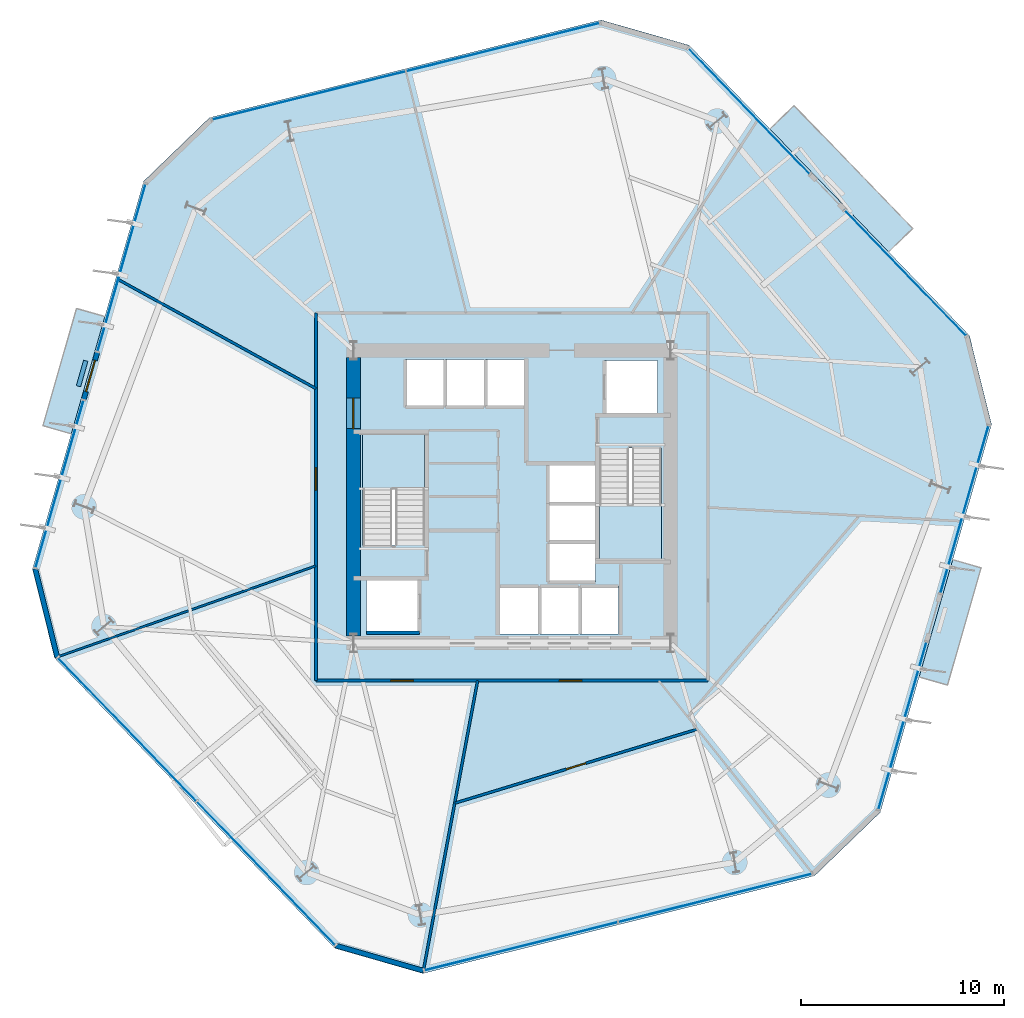
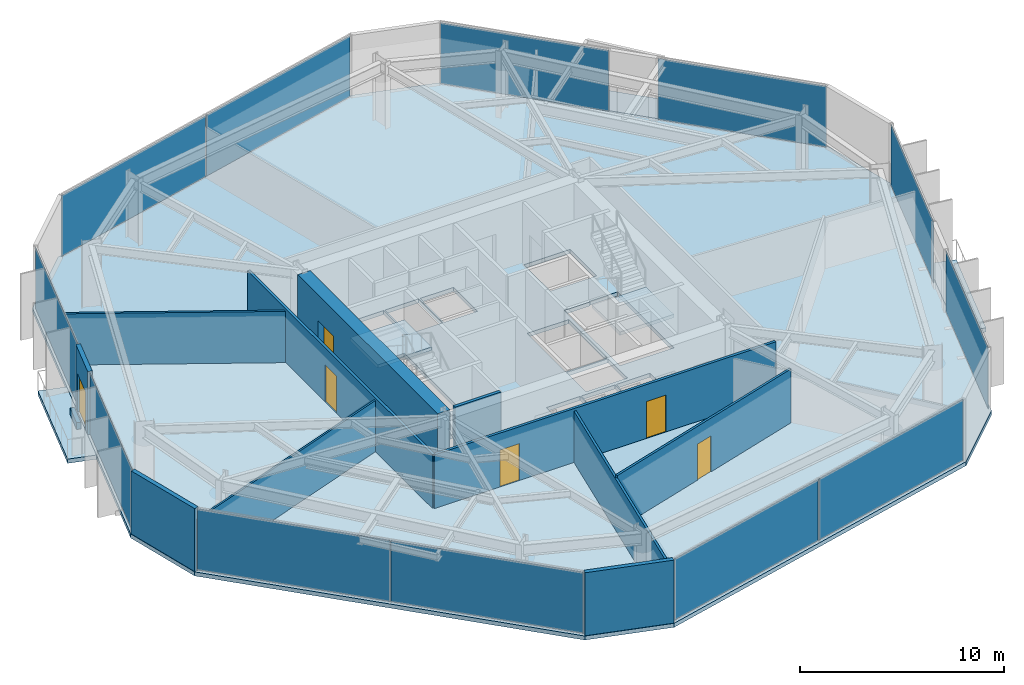
# One storey, part 5 of 10: 12 plates, 12 walls, 6 doors, 6 slabs, 6 openings, 11 elements without a shape of their own.
"""IFC4 building model written with IfcOpenShell, lengths in metres."""

from ifc_helpers import new_model, si_unit, direction, frame, frame_2d, origin, origin_2d, place, context, subcontext, project, spatial, polyline, rectangle, outline, extrude, material, layer, layer_set, type_object, element, fill, aggregate, save


model = new_model("IFC4")

# Units and contexts
model_context = context("Model", 3, precision=1e-05, world=origin(), true_north=direction((0.0, 1.0)))
body_context = subcontext(model_context, "Body", "Model", "MODEL_VIEW")
ifc_project = project(units=[si_unit("LENGTHUNIT", "METRE"), si_unit("AREAUNIT", "SQUARE_METRE"), si_unit("VOLUMEUNIT", "CUBIC_METRE"), si_unit("PLANEANGLEUNIT", "RADIAN"), si_unit("MASSUNIT", "GRAM", prefix="KILO")], contexts=[model_context])

# Site, building, storey
site_placement = place(None, origin())
site = spatial("IfcSite", under=ifc_project, at=site_placement, CompositionType="ELEMENT")
building_placement = place(site_placement, origin())
building = spatial("IfcBuilding", under=site, at=building_placement, Name="Kranzbogen Civic Tower", CompositionType="ELEMENT")
storey_placement = place(building_placement, frame((0.0, 0.0, 76.0)))
storey = spatial("IfcBuildingStorey", under=building, at=storey_placement, Name="L18", CompositionType="ELEMENT", Elevation=76.0)

# Slab
ifc_material_1 = material(Name="Concrete C40/50", Category="concrete")
ifc_layer_1 = layer(ifc_material_1, 0.239990234375, Name="Concrete C40/50")
ifc_layer_set_1 = layer_set([ifc_layer_1], Name="Concrete C40/50")
slab_type_1 = type_object("IfcSlabType", Name="Composite Lower Tower Floor Slab 240 mm", PredefinedType="FLOOR", material=ifc_layer_set_1)
slab_1_placement = place(storey_placement, frame((0.0, 0.0, -0.239990234375)))
element("IfcSlab", 1, at=slab_1_placement, inside=storey, type_object=slab_type_1, Name="L18 tower floor slab", PredefinedType="FLOOR", context=body_context, shape_type="SweptSolid", body=[
    extrude(outline(polyline([(47.508056640625, 32.930908203125), (33.7109375, 47.217041015625), (29.385986328125, 48.4580078125), (10.114990234375, 43.653076171875), (6.8779296875, 40.527099609375), (1.403076171875, 21.43603515625), (2.491943359375, 17.069091796875), (16.2890625, 2.782958984375), (20.614013671875, 1.5419921875), (39.885009765625, 6.346923828125), (43.1220703125, 9.472900390625), (48.596923828125, 28.56396484375), (47.508056640625, 32.930908203125)]), holes=[polyline([(26.300048828125, 20.60009765625), (26.300048828125, 18.25), (24.39990234375, 18.25), (24.39990234375, 20.60009765625), (26.300048828125, 20.60009765625)]), polyline([(28.27490234375, 18.25), (26.375, 18.25), (26.375, 20.60009765625), (28.27490234375, 20.60009765625), (28.27490234375, 18.25)]), polyline([(20.449951171875, 18.300048828125), (17.85009765625, 18.300048828125), (17.85009765625, 20.89990234375), (20.449951171875, 20.89990234375), (20.449951171875, 18.300048828125)]), polyline([(20.699951171875, 22.659912109375), (19.25, 22.659912109375), (19.25, 22.60009765625), (17.64990234375, 22.60009765625), (17.64990234375, 28.10009765625), (20.699951171875, 28.10009765625), (20.699951171875, 22.659912109375)]), polyline([(21.64990234375, 29.39990234375), (19.75, 29.39990234375), (19.75, 31.75), (21.64990234375, 31.75), (21.64990234375, 29.39990234375)]), polyline([(23.625, 29.39990234375), (21.72509765625, 29.39990234375), (21.72509765625, 31.75), (23.625, 31.75), (23.625, 29.39990234375)]), polyline([(25.60009765625, 31.75), (25.60009765625, 29.39990234375), (23.699951171875, 29.39990234375), (23.699951171875, 31.75), (25.60009765625, 31.75)]), polyline([(30.25, 18.25), (28.35009765625, 18.25), (28.35009765625, 20.60009765625), (30.25, 20.60009765625), (30.25, 18.25)]), polyline([(29.10009765625, 20.800048828125), (26.75, 20.800048828125), (26.75, 22.699951171875), (29.10009765625, 22.699951171875), (29.10009765625, 20.800048828125)]), polyline([(26.75, 26.550048828125), (29.10009765625, 26.550048828125), (29.10009765625, 24.675048828125), (29.10009765625, 24.64990234375), (29.10009765625, 22.77490234375), (26.75, 22.77490234375), (26.75, 24.64990234375), (26.75, 24.675048828125), (26.75, 26.550048828125)]), polyline([(30.75, 27.340087890625), (30.75, 27.39990234375), (32.35009765625, 27.39990234375), (32.35009765625, 21.89990234375), (29.300048828125, 21.89990234375), (29.300048828125, 27.340087890625), (30.75, 27.340087890625)]), polyline([(32.14990234375, 29.10009765625), (29.550048828125, 29.10009765625), (29.550048828125, 31.699951171875), (32.14990234375, 31.699951171875), (32.14990234375, 29.10009765625)])]), origin(), (0.0, 0.0, 1.0), 0.239990234375),
])

# Curtain wall, plate
ifc_material_2 = material(Name="Pale Anodised Aluminium", Category="aluminium")
ifc_layer_2 = layer(ifc_material_2, 0.219970703125, Name="Pale Anodised Aluminium")
ifc_layer_set_2 = layer_set([ifc_layer_2], Name="Pale Anodised Aluminium")
curtain_wall_type = type_object("IfcCurtainWallType", Name="Zone 1 Stick Curtain Wall System CW-02", PredefinedType="USERDEFINED", material=ifc_layer_set_2)
curtain_wall_1_placement = place(storey_placement, origin())
curtain_wall_1 = element("IfcCurtainWall", 2, at=curtain_wall_1_placement, inside=storey, type_object=curtain_wall_type, Name="L18 curtain wall CW-L18-F1-S1", ObjectType="STICK CURTAIN WALL", PredefinedType="USERDEFINED")
ifc_material_3 = material(Name="Low-E Triple Glazing Glass", Category="glass")
ifc_layer_3 = layer(ifc_material_3, 0.033935546875, Name="Low-E Triple Glazing Glass")
ifc_layer_set_3 = layer_set([ifc_layer_3], Name="Low-E Triple Glazing Glass")
plate_type = type_object("IfcPlateType", Name="Insulated Low-E Glazing Panel 34 mm", PredefinedType="CURTAIN_PANEL", material=ifc_layer_set_3)
plate_1_placement = place(storey_placement, frame((44.363525390625, 36.00341796875, 0.06005859375), z_axis=(0.0, 0.0, 1.0), x_axis=(-0.694662411477, 0.719335897951, 0.0)))
plate_1 = element("IfcPlate", 3, at=plate_1_placement, type_object=plate_type, Name="CW-02 panel 1.1", PredefinedType="CURTAIN_PANEL", context=body_context, shape_type="SweptSolid", body=[
    extrude(rectangle(XDim=8.55322265625, YDim=0.028076171875, at=origin_2d()), origin(), (0.0, 0.0, 1.0), 3.639892578125),
])
aggregate(curtain_wall_1, [plate_1])

curtain_wall_2_placement = place(storey_placement, origin())
curtain_wall_2 = element("IfcCurtainWall", 4, at=curtain_wall_2_placement, inside=storey, type_object=curtain_wall_type, Name="L18 curtain wall CW-L18-F1-S2", ObjectType="STICK CURTAIN WALL", PredefinedType="USERDEFINED")
plate_2_placement = place(storey_placement, frame((36.672119140625, 43.968017578125, 0.06005859375), z_axis=(0.0, 0.0, 1.0), x_axis=(-0.694660364794, 0.719337874426, 0.0)))
plate_2 = element("IfcPlate", 5, at=plate_2_placement, type_object=plate_type, Name="CW-02 panel 1.1", PredefinedType="CURTAIN_PANEL", context=body_context, shape_type="SweptSolid", body=[
    extrude(rectangle(XDim=8.5517578125, YDim=0.028076171875, at=origin_2d()), origin(), (0.0, 0.0, 1.0), 3.639892578125),
])
aggregate(curtain_wall_2, [plate_2])

# Curtain wall, plates
curtain_wall_3_placement = place(storey_placement, origin())
curtain_wall_3 = element("IfcCurtainWall", 6, at=curtain_wall_3_placement, inside=storey, type_object=curtain_wall_type, Name="L18 curtain wall CW-L18-F2", ObjectType="STICK CURTAIN WALL", PredefinedType="USERDEFINED")
plate_3_placement = place(storey_placement, frame((24.555908203125, 47.122314453125, 0.06005859375), z_axis=(0.0, 0.0, 1.0), x_axis=(-0.970303166734, -0.241892051596, 0.0)))
plate_3 = element("IfcPlate", 7, at=plate_3_placement, type_object=plate_type, Name="CW-02 panel 1.1", PredefinedType="CURTAIN_PANEL", context=body_context, shape_type="SweptSolid", body=[
    extrude(rectangle(XDim=9.7822265625, YDim=0.028076171875, at=origin_2d()), origin(), (0.0, 0.0, 1.0), 3.639892578125),
])
plate_4_placement = place(storey_placement, frame((15.006103515625, 44.74169921875, 0.06005859375), z_axis=(0.0, 0.0, 1.0), x_axis=(-0.970303166734, -0.241892051596, 0.0)))
plate_4 = element("IfcPlate", 8, at=plate_4_placement, type_object=plate_type, Name="CW-02 panel 2.1", PredefinedType="CURTAIN_PANEL", context=body_context, shape_type="SweptSolid", body=[
    extrude(rectangle(XDim=9.7822265625, YDim=0.028076171875, at=origin_2d()), origin(), (0.0, 0.0, 1.0), 3.639892578125),
])
aggregate(curtain_wall_3, [plate_3, plate_4])

# Curtain wall, plate
curtain_wall_4_placement = place(storey_placement, origin())
curtain_wall_4 = element("IfcCurtainWall", 9, at=curtain_wall_4_placement, inside=storey, type_object=curtain_wall_type, Name="L18 curtain wall CW-L18-F3-S1", ObjectType="STICK CURTAIN WALL", PredefinedType="USERDEFINED")
plate_5_placement = place(storey_placement, frame((5.78857421875, 36.2685546875, 0.06005859375), z_axis=(0.0, 0.0, 1.0), x_axis=(-0.275741488454, -0.961231830281, 0.0)))
plate_5 = element("IfcPlate", 10, at=plate_5_placement, type_object=plate_type, Name="CW-02 panel 1.1", PredefinedType="CURTAIN_PANEL", context=body_context, shape_type="SweptSolid", body=[
    extrude(rectangle(XDim=8.55126953125, YDim=0.028076171875, at=origin_2d()), origin(), (0.0, 0.0, 1.0), 3.639892578125),
])
aggregate(curtain_wall_4, [plate_5])

curtain_wall_5_placement = place(storey_placement, origin())
curtain_wall_5 = element("IfcCurtainWall", 11, at=curtain_wall_5_placement, inside=storey, type_object=curtain_wall_type, Name="L18 curtain wall CW-L18-F3-S2", ObjectType="STICK CURTAIN WALL", PredefinedType="USERDEFINED")
plate_6_placement = place(storey_placement, frame((2.736572265625, 25.62548828125, 0.06005859375), z_axis=(0.0, 0.0, 1.0), x_axis=(-0.275680367436, -0.961249361514, 0.0)))
plate_6 = element("IfcPlate", 12, at=plate_6_placement, type_object=plate_type, Name="CW-02 panel 1.1", PredefinedType="CURTAIN_PANEL", context=body_context, shape_type="SweptSolid", body=[
    extrude(rectangle(XDim=8.552978515625, YDim=0.028076171875, at=origin_2d()), origin(), (0.0, 0.0, 1.0), 3.639892578125),
])
aggregate(curtain_wall_5, [plate_6])

# Curtain wall, plates
curtain_wall_6_placement = place(storey_placement, origin())
curtain_wall_6 = element("IfcCurtainWall", 13, at=curtain_wall_6_placement, inside=storey, type_object=curtain_wall_type, Name="L18 curtain wall CW-L18-F4", ObjectType="STICK CURTAIN WALL", PredefinedType="USERDEFINED")
plate_7_placement = place(storey_placement, frame((6.0634765625, 13.554443359375, 0.06005859375), z_axis=(0.0, 0.0, 1.0), x_axis=(0.694666817752, -0.719331642787, 0.0)))
plate_7 = element("IfcPlate", 14, at=plate_7_placement, type_object=plate_type, Name="CW-02 panel 1.1", PredefinedType="CURTAIN_PANEL", context=body_context, shape_type="SweptSolid", body=[
    extrude(rectangle(XDim=9.782470703125, YDim=0.028076171875, at=origin_2d()), origin(), (0.0, 0.0, 1.0), 3.639892578125),
])
plate_8_placement = place(storey_placement, frame((12.900634765625, 6.474609375, 0.06005859375), z_axis=(0.0, 0.0, 1.0), x_axis=(0.694666817752, -0.719331642787, 0.0)))
plate_8 = element("IfcPlate", 15, at=plate_8_placement, type_object=plate_type, Name="CW-02 panel 2.1", PredefinedType="CURTAIN_PANEL", context=body_context, shape_type="SweptSolid", body=[
    extrude(rectangle(XDim=9.782470703125, YDim=0.028076171875, at=origin_2d()), origin(), (0.0, 0.0, 1.0), 3.639892578125),
])
aggregate(curtain_wall_6, [plate_7, plate_8])

curtain_wall_7_placement = place(storey_placement, origin())
curtain_wall_7 = element("IfcCurtainWall", 16, at=curtain_wall_7_placement, inside=storey, type_object=curtain_wall_type, Name="L18 curtain wall CW-L18-F5", ObjectType="STICK CURTAIN WALL", PredefinedType="USERDEFINED")
plate_9_placement = place(storey_placement, frame((25.444091796875, 2.877685546875, 0.06005859375), z_axis=(0.0, 0.0, 1.0), x_axis=(0.970303166734, 0.241892051596, 0.0)))
plate_9 = element("IfcPlate", 17, at=plate_9_placement, type_object=plate_type, Name="CW-02 panel 1.1", PredefinedType="CURTAIN_PANEL", context=body_context, shape_type="SweptSolid", body=[
    extrude(rectangle(XDim=9.7822265625, YDim=0.028076171875, at=origin_2d()), origin(), (0.0, 0.0, 1.0), 3.639892578125),
])
plate_10_placement = place(storey_placement, frame((34.993896484375, 5.25830078125, 0.06005859375), z_axis=(0.0, 0.0, 1.0), x_axis=(0.970303166734, 0.241892051596, 0.0)))
plate_10 = element("IfcPlate", 18, at=plate_10_placement, type_object=plate_type, Name="CW-02 panel 2.1", PredefinedType="CURTAIN_PANEL", context=body_context, shape_type="SweptSolid", body=[
    extrude(rectangle(XDim=9.7822265625, YDim=0.028076171875, at=origin_2d()), origin(), (0.0, 0.0, 1.0), 3.639892578125),
])
aggregate(curtain_wall_7, [plate_9, plate_10])

# Curtain wall, plate
curtain_wall_8_placement = place(storey_placement, origin())
curtain_wall_8 = element("IfcCurtainWall", 19, at=curtain_wall_8_placement, inside=storey, type_object=curtain_wall_type, Name="L18 curtain wall CW-L18-F6-S1", ObjectType="STICK CURTAIN WALL", PredefinedType="USERDEFINED")
plate_11_placement = place(storey_placement, frame((44.21142578125, 13.73193359375, 0.06005859375), z_axis=(0.0, 0.0, 1.0), x_axis=(0.275710924696, 0.961240597355, 0.0)))
plate_11 = element("IfcPlate", 20, at=plate_11_placement, type_object=plate_type, Name="CW-02 panel 1.1", PredefinedType="CURTAIN_PANEL", context=body_context, shape_type="SweptSolid", body=[
    extrude(rectangle(XDim=8.55224609375, YDim=0.028076171875, at=origin_2d()), origin(), (0.0, 0.0, 1.0), 3.639892578125),
])
aggregate(curtain_wall_8, [plate_11])

curtain_wall_9_placement = place(storey_placement, origin())
curtain_wall_9 = element("IfcCurtainWall", 21, at=curtain_wall_9_placement, inside=storey, type_object=curtain_wall_type, Name="L18 curtain wall CW-L18-F6-S2", ObjectType="STICK CURTAIN WALL", PredefinedType="USERDEFINED")
plate_12_placement = place(storey_placement, frame((47.263427734375, 24.375, 0.06005859375), z_axis=(0.0, 0.0, 1.0), x_axis=(0.275710924696, 0.961240597355, 0.0)))
plate_12 = element("IfcPlate", 22, at=plate_12_placement, type_object=plate_type, Name="CW-02 panel 1.1", PredefinedType="CURTAIN_PANEL", context=body_context, shape_type="SweptSolid", body=[
    extrude(rectangle(XDim=8.55224609375, YDim=0.028076171875, at=origin_2d()), origin(), (0.0, 0.0, 1.0), 3.639892578125),
])
aggregate(curtain_wall_9, [plate_12])

# Stair, slab
ifc_material_4 = material(Name="Precast concrete C40/50", Category="concrete")
stair_type_1 = type_object("IfcStairType", Name="Tower Core Pressurized Dogleg Stair 1450", PredefinedType="HALF_TURN_STAIR", material=ifc_material_4)
stair_1_placement = place(storey_placement, origin())
stair_1 = element("IfcStair", 23, at=stair_1_placement, inside=storey, type_object=stair_type_1, Name="L18 Tower Core Pressurized Stair 1", PredefinedType="HALF_TURN_STAIR")
ifc_layer_4 = layer(ifc_material_4, 0.199951171875, Name="Precast concrete C40/50")
ifc_layer_set_4 = layer_set([ifc_layer_4], Name="Precast concrete C40/50")
slab_type_2 = type_object("IfcSlabType", Name="Precast Concrete Stair Landing Slab 200 mm", PredefinedType="LANDING", material=ifc_layer_set_4)
slab_2_placement = place(storey_placement, frame((0.0, 0.0, 1.800048828125)))
slab_2 = element("IfcSlab", 24, at=slab_2_placement, type_object=slab_type_2, Name="ST-T1 landing 1", PredefinedType="LANDING", context=body_context, shape_type="SweptSolid", body=[
    extrude(outline(polyline([(20.699951171875, 25.39990234375), (20.699951171875, 28.10009765625), (17.64990234375, 28.10009765625), (17.64990234375, 25.39990234375), (20.699951171875, 25.39990234375)])), origin(), (0.0, 0.0, 1.0), 0.199951171875),
])
aggregate(stair_1, [slab_2])

stair_type_2 = type_object("IfcStairType", Name="Tower Core Secondary Dogleg Stair 1450", PredefinedType="HALF_TURN_STAIR", material=ifc_material_4)
stair_2_placement = place(storey_placement, origin())
stair_2 = element("IfcStair", 25, at=stair_2_placement, inside=storey, type_object=stair_type_2, Name="L18 Tower Core Pressurized Stair 2", PredefinedType="HALF_TURN_STAIR")
slab_3_placement = place(storey_placement, frame((0.0, 0.0, 1.800048828125)))
slab_3 = element("IfcSlab", 26, at=slab_3_placement, type_object=slab_type_2, Name="ST-T2 landing 1", PredefinedType="LANDING", context=body_context, shape_type="SweptSolid", body=[
    extrude(outline(polyline([(29.300048828125, 24.60009765625), (29.300048828125, 21.89990234375), (32.35009765625, 21.89990234375), (32.35009765625, 24.60009765625), (29.300048828125, 24.60009765625)])), origin(), (0.0, 0.0, 1.0), 0.199951171875),
])
aggregate(stair_2, [slab_3])

# Slabs
ifc_layer_5 = layer(ifc_material_1, 0.280029296875, Name="Concrete C40/50")
ifc_layer_set_5 = layer_set([ifc_layer_5], Name="Concrete C40/50")
slab_type_3 = type_object("IfcSlabType", Name="Spiral Terrace Cantilevered Slab 280 mm", PredefinedType="FLOOR", material=ifc_layer_set_5)
slab_4_placement = place(storey_placement, frame((0.0, 0.0, -0.280029296875)))
element("IfcSlab", 27, at=slab_4_placement, inside=storey, type_object=slab_type_3, Name="L18 cantilevered spiral terrace L18-ST", PredefinedType="FLOOR", context=body_context, shape_type="SweptSolid", body=[
    extrude(outline(polyline([(43.527099609375, 37.052978515625), (37.69189453125, 43.094970703125), (38.87890625, 44.240966796875), (44.714111328125, 38.198974609375), (43.527099609375, 37.052978515625)])), origin(), (0.0, 0.0, 1.0), 0.280029296875),
])
ifc_layer_6 = layer(ifc_material_1, 0.25, Name="Concrete C40/50")
ifc_layer_set_6 = layer_set([ifc_layer_6], Name="Concrete C40/50")
slab_type_4 = type_object("IfcSlabType", Name="Tree Balcony Cantilevered Slab 250 mm", PredefinedType="FLOOR", material=ifc_layer_set_6)
slab_5_placement = place(storey_placement, frame((0.0, 0.0, -0.25)))
element("IfcSlab", 28, at=slab_5_placement, inside=storey, type_object=slab_type_4, Name="L18 cantilevered tree balcony L18-TB1", PredefinedType="FLOOR", context=body_context, shape_type="SweptSolid", body=[
    extrude(outline(polyline([(45.031982421875, 16.135009765625), (46.68603515625, 21.902099609375), (48.080078125, 21.501953125), (46.426025390625, 15.735107421875), (45.031982421875, 16.135009765625)])), origin(), (0.0, 0.0, 1.0), 0.25),
])
slab_6_placement = place(storey_placement, frame((0.0, 0.0, -0.25)))
element("IfcSlab", 29, at=slab_6_placement, inside=storey, type_object=slab_type_4, Name="L18 cantilevered tree balcony L18-TB2", PredefinedType="FLOOR", context=body_context, shape_type="SweptSolid", body=[
    extrude(outline(polyline([(4.968017578125, 33.864990234375), (3.31396484375, 28.097900390625), (1.919921875, 28.498046875), (3.573974609375, 34.264892578125), (4.968017578125, 33.864990234375)])), origin(), (0.0, 0.0, 1.0), 0.25),
])

# Wall, openings, doors
ifc_material_5 = material(Name="Double-Stud Acoustic Gypsum Partition")
ifc_layer_7 = layer(ifc_material_5, 0.14990234375, Name="Double-Stud Acoustic Gypsum Partition")
ifc_layer_set_7 = layer_set([ifc_layer_7], Name="Double-Stud Acoustic Gypsum Partition")
wall_type_1 = type_object("IfcWallType", Name="Acoustic Corridor and Clinical Partition 150 mm", PredefinedType="PARTITIONING", material=ifc_layer_set_7)
wall_1_placement = place(storey_placement, frame((34.64990234375, 15.949951171875, 0.0), z_axis=(0.0, 0.0, 1.0), x_axis=(-1.0, 0.0, 0.0)))
wall_1 = element("IfcWall", 30, at=wall_1_placement, inside=storey, type_object=wall_type_1, Name="L18 corridor partition 03", PredefinedType="PARTITIONING", context=body_context, shape_type="SweptSolid", body=[
    extrude(rectangle(XDim=19.2998046875, YDim=0.14990234375, at=frame_2d((9.64990234375, 0.0))), origin(), (0.0, 0.0, 1.0), 3.2099609375),
])
opening_1_placement = place(wall_1_placement, frame((14.506103515625, 0.0, 0.0)))
opening_1 = element("IfcOpeningElement", 31, at=opening_1_placement, cuts=wall_1, Name="Opening D-COR60", PredefinedType="OPENING", context=body_context, shape_type="SweptSolid", body=[
    extrude(rectangle(XDim=1.10009765625, YDim=2.199951171875, at=frame_2d((0.550048828125, 1.10009765625))), frame((0.0, 0.0849609375, 0.0), z_axis=(0.0, -1.0, 0.0), x_axis=(1.0, 0.0, 0.0)), (0.0, 0.0, 1.0), 0.169921875),
])
opening_2_placement = place(wall_1_placement, frame((6.218017578125, 0.0, 0.0)))
opening_2 = element("IfcOpeningElement", 32, at=opening_2_placement, cuts=wall_1, Name="Opening D-COR60", PredefinedType="OPENING", context=body_context, shape_type="SweptSolid", body=[
    extrude(rectangle(XDim=1.10009765625, YDim=2.199951171875, at=frame_2d((0.550048828125, 1.10009765625))), frame((0.0, 0.0849609375, 0.0), z_axis=(0.0, -1.0, 0.0), x_axis=(1.0, 0.0, 0.0)), (0.0, 0.0, 1.0), 0.169921875),
])
ifc_material_6 = material(Name="Oak Timber and Fire Core", Category="wood")
door_type_1 = type_object("IfcDoorType", Name="Corridor Acoustic Fire Door 1100x2200", OperationType="NOTDEFINED", PredefinedType="DOOR", material=ifc_material_6)
door_1_placement = place(opening_1_placement, origin())
door_1 = element("IfcDoor", 33, at=door_1_placement, inside=storey, type_object=door_type_1, Name="L18 Visitor Concierge Foyer door", OperationType="SINGLE_SWING_RIGHT", OverallHeight=2.199951171875, OverallWidth=1.10009765625, PredefinedType="DOOR", context=body_context, shape_type="SweptSolid", body=[
    extrude(rectangle(XDim=1.10009765625, YDim=2.199951171875, at=frame_2d((0.550048828125, 1.10009765625))), frame((0.0, 0.02490234375, 0.0), z_axis=(0.0, -1.0, 0.0), x_axis=(1.0, 0.0, 0.0)), (0.0, 0.0, 1.0), 0.050048828125),
])
fill(opening_1, door_1)
door_2_placement = place(opening_2_placement, origin())
door_2 = element("IfcDoor", 34, at=door_2_placement, inside=storey, type_object=door_type_1, Name="L18 Directorate Admin Workspace door", OperationType="SINGLE_SWING_LEFT", OverallHeight=2.199951171875, OverallWidth=1.10009765625, PredefinedType="DOOR", context=body_context, shape_type="SweptSolid", body=[
    extrude(rectangle(XDim=1.10009765625, YDim=2.199951171875, at=frame_2d((0.550048828125, 1.10009765625))), frame((0.0, 0.02490234375, 0.0), z_axis=(0.0, -1.0, 0.0), x_axis=(1.0, 0.0, 0.0)), (0.0, 0.0, 1.0), 0.050048828125),
])
fill(opening_2, door_2)

# Wall, opening, door
wall_2_placement = place(storey_placement, frame((15.35009765625, 15.949951171875, 0.0), z_axis=(0.0, 0.0, 1.0), x_axis=(0.0, 1.0, 0.0)))
wall_2 = element("IfcWall", 35, at=wall_2_placement, inside=storey, type_object=wall_type_1, Name="L18 corridor partition 04", PredefinedType="PARTITIONING", context=body_context, shape_type="SweptSolid", body=[
    extrude(rectangle(XDim=18.10009765625, YDim=0.14990234375, at=frame_2d((9.050048828125, 0.0))), origin(), (0.0, 0.0, 1.0), 3.2099609375),
])
opening_3_placement = place(wall_2_placement, frame((9.381103515625, 0.0, 0.0)))
opening_3 = element("IfcOpeningElement", 36, at=opening_3_placement, cuts=wall_2, Name="Opening D-COR60", PredefinedType="OPENING", context=body_context, shape_type="SweptSolid", body=[
    extrude(rectangle(XDim=1.10009765625, YDim=2.199951171875, at=frame_2d((0.550048828125, 1.10009765625))), frame((0.0, 0.0849609375, 0.0), z_axis=(0.0, -1.0, 0.0), x_axis=(1.0, 0.0, 0.0)), (0.0, 0.0, 1.0), 0.169921875),
])
door_3_placement = place(opening_3_placement, origin())
door_3 = element("IfcDoor", 37, at=door_3_placement, inside=storey, type_object=door_type_1, Name="L18 Civic Reference Library door", OperationType="SINGLE_SWING_RIGHT", OverallHeight=2.199951171875, OverallWidth=1.10009765625, PredefinedType="DOOR", context=body_context, shape_type="SweptSolid", body=[
    extrude(rectangle(XDim=1.10009765625, YDim=2.199951171875, at=frame_2d((0.550048828125, 1.10009765625))), frame((0.0, 0.02490234375, 0.0), z_axis=(0.0, -1.0, 0.0), x_axis=(1.0, 0.0, 0.0)), (0.0, 0.0, 1.0), 0.050048828125),
])
fill(opening_3, door_3)

# Walls
ifc_material_7 = material(Name="Insulated Metal-Stud Gypsum Partition")
ifc_layer_8 = layer(ifc_material_7, 0.125, Name="Insulated Metal-Stud Gypsum Partition")
ifc_layer_set_8 = layer_set([ifc_layer_8], Name="Insulated Metal-Stud Gypsum Partition")
wall_type_2 = type_object("IfcWallType", Name="Acoustic Inter-Room Partition 125 mm", PredefinedType="PARTITIONING", material=ifc_layer_set_8)
wall_3_placement = place(storey_placement, frame((15.35009765625, 30.324951171875, 0.0), z_axis=(0.0, 0.0, 1.0), x_axis=(-0.875614283025, 0.483011001285, 0.0)))
element("IfcWall", 38, at=wall_3_placement, inside=storey, type_object=wall_type_2, Name="L18 radial room partition 03", PredefinedType="PARTITIONING", context=body_context, shape_type="SweptSolid", body=[
    extrude(rectangle(XDim=11.0908203125, YDim=0.125, at=frame_2d((5.54541015625, 0.0))), origin(), (0.0, 0.0, 1.0), 3.06005859375),
])
wall_4_placement = place(storey_placement, frame((23.30810546875, 15.949951171875, 0.0), z_axis=(0.0, 0.0, 1.0), x_axis=(-0.183820818774, -0.982959768549, 0.0)))
element("IfcWall", 39, at=wall_4_placement, inside=storey, type_object=wall_type_2, Name="L18 radial room partition 05", PredefinedType="PARTITIONING", context=body_context, shape_type="SweptSolid", body=[
    extrude(rectangle(XDim=14.498046875, YDim=0.125, at=frame_2d((7.2490234375, 0.0))), origin(), (0.0, 0.0, 1.0), 3.06005859375),
])

# Wall, opening, door
wall_5_placement = place(storey_placement, frame((22.197021484375, 9.927001953125, 0.0), z_axis=(0.0, 0.0, 1.0), x_axis=(0.956509687219, 0.291700562659, 0.0)))
wall_5 = element("IfcWall", 40, at=wall_5_placement, inside=storey, type_object=wall_type_2, Name="L18 suite chord partition 01", PredefinedType="PARTITIONING", context=body_context, shape_type="SweptSolid", body=[
    extrude(rectangle(XDim=12.454833984375, YDim=0.125, at=frame_2d((6.2275390625, 0.0))), origin(), (0.0, 0.0, 1.0), 3.2099609375),
])
opening_4_placement = place(wall_5_placement, frame((5.72705078125, 0.0, 0.0)))
opening_4 = element("IfcOpeningElement", 41, at=opening_4_placement, cuts=wall_5, Name="Opening D-OFC10", PredefinedType="OPENING", context=body_context, shape_type="SweptSolid", body=[
    extrude(rectangle(XDim=1.0, YDim=2.14990234375, at=frame_2d((0.5, 1.074951171875))), frame((0.0, 0.072509765625, 0.0), z_axis=(0.0, -1.0, 0.0), x_axis=(1.0, 0.0, 0.0)), (0.0, 0.0, 1.0), 0.14501953125),
])
ifc_material_8 = material(Name="Oak Timber Veneer", Category="wood")
door_type_2 = type_object("IfcDoorType", Name="Standard Office Acoustic Door 1000x2150", OperationType="NOTDEFINED", PredefinedType="DOOR", material=ifc_material_8)
door_4_placement = place(opening_4_placement, origin())
door_4 = element("IfcDoor", 42, at=door_4_placement, inside=storey, type_object=door_type_2, Name="L18 Legal Counsel Office door", OperationType="SINGLE_SWING_RIGHT", OverallHeight=2.14990234375, OverallWidth=1.0, PredefinedType="DOOR", context=body_context, shape_type="SweptSolid", body=[
    extrude(rectangle(XDim=1.0, YDim=2.14990234375, at=frame_2d((0.5, 1.074951171875))), frame((0.0, 0.02490234375, 0.0), z_axis=(0.0, -1.0, 0.0), x_axis=(1.0, 0.0, 0.0)), (0.0, 0.0, 1.0), 0.050048828125),
])
fill(opening_4, door_4)

# Wall
ifc_material_9 = material(Name="Architectural Precast Terracotta Concrete C40/50", Category="masonry")
ifc_layer_9 = layer(ifc_material_9, 0.219970703125, Name="Architectural Precast Terracotta Concrete C40/50")
ifc_layer_set_9 = layer_set([ifc_layer_9], Name="Architectural Precast Terracotta Concrete C40/50")
wall_type_3 = type_object("IfcWallType", Name="Architectural Tree Planter Kerb Wall 220 mm", PredefinedType="USERDEFINED", material=ifc_layer_set_9)
wall_6_placement = place(storey_placement, frame((4.027099609375, 31.69091796875, 0.0), z_axis=(0.0, 0.0, 1.0), x_axis=(-0.275440197567, -0.961318208277, 0.0)))
element("IfcWall", 43, at=wall_6_placement, inside=storey, type_object=wall_type_3, Name="L18 landscaped tree balcony planter L18-TB2", ObjectType="PLANTER_WALL", PredefinedType="USERDEFINED", context=body_context, shape_type="SweptSolid", body=[
    extrude(rectangle(XDim=1.30029296875, YDim=0.219970703125, at=frame_2d((0.650146484375, 0.0))), origin(), (0.0, 0.0, 1.0), 0.39990234375),
])

# Wall, opening, door
ifc_material_10 = material(Name="Concrete C55/67", Category="concrete")
ifc_layer_10 = layer(ifc_material_10, 0.699951171875, Name="Concrete C55/67")
ifc_layer_set_10 = layer_set([ifc_layer_10], Name="Concrete C55/67")
wall_type_4 = type_object("IfcWallType", Name="Central Core Shear Wall 700 mm", PredefinedType="SHEAR", material=ifc_layer_set_10)
wall_7_placement = place(storey_placement, frame((17.199951171875, 31.85009765625, 0.0), z_axis=(0.0, 0.0, 1.0), x_axis=(0.0, -1.0, 0.0)))
wall_7 = element("IfcWall", 44, at=wall_7_placement, inside=storey, type_object=wall_type_4, Name="L18 central core West shear wall", PredefinedType="SHEAR", context=body_context, shape_type="SweptSolid", body=[
    extrude(rectangle(XDim=13.7001953125, YDim=0.699951171875, at=frame_2d((6.85009765625, 0.0))), origin(), (0.0, 0.0, 1.0), 3.760009765625),
])
opening_5_placement = place(wall_7_placement, frame((2.0, 0.0, 0.0)))
opening_5 = element("IfcOpeningElement", 45, at=opening_5_placement, cuts=wall_7, Name="Opening D-DBL15", PredefinedType="OPENING", context=body_context, shape_type="SweptSolid", body=[
    extrude(rectangle(XDim=1.5, YDim=2.199951171875, at=frame_2d((0.75, 1.10009765625))), frame((0.0, 0.35986328125, 0.0), z_axis=(0.0, -1.0, 0.0), x_axis=(1.0, 0.0, 0.0)), (0.0, 0.0, 1.0), 0.719970703125),
])
ifc_material_11 = material(Name="Anodised Bronze and Glass", Category="glass")
door_type_3 = type_object("IfcDoorType", Name="Civic Lobby Double Door 1500x2200", OperationType="DOUBLE_DOOR_SINGLE_SWING", PredefinedType="DOOR", material=ifc_material_11)
door_5_placement = place(opening_5_placement, origin())
door_5 = element("IfcDoor", 46, at=door_5_placement, inside=storey, type_object=door_type_3, Name="L18 Central Lift Lobby West concourse door", OperationType="DOUBLE_DOOR_SINGLE_SWING", OverallHeight=2.199951171875, OverallWidth=1.5, PredefinedType="DOOR", context=body_context, shape_type="SweptSolid", body=[
    extrude(rectangle(XDim=1.5, YDim=2.199951171875, at=frame_2d((0.75, 1.10009765625))), frame((0.0, 0.02490234375, 0.0), z_axis=(0.0, -1.0, 0.0), x_axis=(1.0, 0.0, 0.0)), (0.0, 0.0, 1.0), 0.050048828125),
])
fill(opening_5, door_5)

# Walls
ifc_material_12 = material(Name="Demountable Aluminium and Gypsum Partition", Category="aluminium")
ifc_layer_11 = layer(ifc_material_12, 0.10009765625, Name="Demountable Aluminium and Gypsum Partition")
ifc_layer_set_11 = layer_set([ifc_layer_11], Name="Demountable Aluminium and Gypsum Partition")
wall_type_5 = type_object("IfcWallType", Name="Demountable Office Partition 100 mm", PredefinedType="MOVABLE", material=ifc_layer_set_11)
wall_8_placement = place(storey_placement, frame((15.35009765625, 21.60009765625, 0.0), z_axis=(0.0, 0.0, 1.0), x_axis=(-0.943156803456, -0.332348076712, 0.0)))
element("IfcWall", 47, at=wall_8_placement, inside=storey, type_object=wall_type_5, Name="L18 radial room partition 04", PredefinedType="MOVABLE", context=body_context, shape_type="SweptSolid", body=[
    extrude(rectangle(XDim=13.473876953125, YDim=0.10009765625, at=frame_2d((6.73681640625, 0.0))), origin(), (0.0, 0.0, 1.0), 3.06005859375),
])
ifc_material_13 = material(Name="Gypsum Fireboard Shaftliner")
ifc_layer_12 = layer(ifc_material_13, 0.175048828125, Name="Gypsum Fireboard Shaftliner")
ifc_layer_set_12 = layer_set([ifc_layer_12], Name="Gypsum Fireboard Shaftliner")
wall_type_6 = type_object("IfcWallType", Name="Fire-Rated Lift and Service Shaft Wall 175 mm", PredefinedType="PARTITIONING", material=ifc_layer_set_12)
wall_9_placement = place(storey_placement, frame((17.85009765625, 18.300048828125, 0.0), z_axis=(0.0, 0.0, 1.0), x_axis=(1.0, 0.0, 0.0)))
element("IfcWall", 48, at=wall_9_placement, inside=storey, type_object=wall_type_6, Name="L18 lift FF-01 side wall", PredefinedType="PARTITIONING", context=body_context, shape_type="SweptSolid", body=[
    extrude(rectangle(XDim=2.599853515625, YDim=0.175048828125, at=frame_2d((1.2998046875, 0.0))), origin(), (0.0, 0.0, 1.0), 3.760009765625),
])

# Wall, opening, door
ifc_layer_13 = layer(ifc_material_2, 0.239990234375, Name="Pale Anodised Aluminium")
ifc_layer_set_13 = layer_set([ifc_layer_13], Name="Pale Anodised Aluminium")
wall_type_7 = type_object("IfcWallType", Name="Insulated Aluminium Facade Portal Wall 240 mm", PredefinedType="STANDARD", material=ifc_layer_set_13)
wall_10_placement = place(storey_placement, frame((4.593017578125, 32.10107421875, 0.0), z_axis=(0.0, 0.0, 1.0), x_axis=(-0.275473430744, -0.961308685571, 0.0)))
wall_10 = element("IfcWall", 49, at=wall_10_placement, inside=storey, type_object=wall_type_7, Name="L18 exterior entrance portal wall 1", PredefinedType="STANDARD", context=body_context, shape_type="SweptSolid", body=[
    extrude(rectangle(XDim=2.39990234375, YDim=0.239990234375, at=frame_2d((1.199951171875, 0.0))), origin(), (0.0, 0.0, 1.0), 3.760009765625),
])
opening_6_placement = place(wall_10_placement, frame((0.39990234375, 0.0, 0.0)))
opening_6 = element("IfcOpeningElement", 50, at=opening_6_placement, cuts=wall_10, Name="Opening D-TER", PredefinedType="OPENING", context=body_context, shape_type="SweptSolid", body=[
    extrude(rectangle(XDim=1.60009765625, YDim=2.25, at=frame_2d((0.800048828125, 1.125))), frame((0.0, 0.1298828125, 0.0), z_axis=(0.0, -1.0, 0.0), x_axis=(1.0, 0.0, 0.0)), (0.0, 0.0, 1.0), 0.260009765625),
])
ifc_material_14 = material(Name="Anodised Bronze and Triple Glass", Category="glass")
door_type_4 = type_object("IfcDoorType", Name="Glazed Terrace and Balcony Double Door 1600x2250", OperationType="DOUBLE_DOOR_SINGLE_SWING", PredefinedType="DOOR", material=ifc_material_14)
door_6_placement = place(opening_6_placement, frame((1.60009765625, 0.0, 0.0), z_axis=(0.0, 0.0, 1.0), x_axis=(-1.0, 0.0, 0.0)))
door_6 = element("IfcDoor", 51, at=door_6_placement, inside=storey, type_object=door_type_4, Name="L18 tree balcony access door L18-TB2", OperationType="DOUBLE_DOOR_SINGLE_SWING", OverallHeight=2.25, OverallWidth=1.60009765625, PredefinedType="DOOR", context=body_context, shape_type="SweptSolid", body=[
    extrude(rectangle(XDim=1.60009765625, YDim=2.25, at=frame_2d((0.800048828125, 1.125))), frame((0.0, 0.02490234375, 0.0), z_axis=(0.0, -1.0, 0.0), x_axis=(1.0, 0.0, 0.0)), (0.0, 0.0, 1.0), 0.050048828125),
])
fill(opening_6, door_6)

# Walls
wall_11_placement = place(storey_placement, frame((1.541015625, 21.45703125, 0.0), z_axis=(0.0, 0.0, 1.0), x_axis=(0.242060539471, -0.970261147955, 0.0)))
element("IfcWall", 52, at=wall_11_placement, inside=storey, type_object=wall_type_7, Name="L18 chamfered corner facade spandrel 3", PredefinedType="STANDARD", context=body_context, shape_type="SweptSolid", body=[
    extrude(rectangle(XDim=4.47412109375, YDim=0.239990234375, at=frame_2d((2.237060546875, 0.0))), origin(), (0.0, 0.0, 1.0), 3.760009765625),
])
wall_12_placement = place(storey_placement, frame((16.340087890625, 2.9130859375, 0.0), z_axis=(0.0, 0.0, 1.0), x_axis=(0.96124954367, -0.275679732289, 0.0)))
element("IfcWall", 53, at=wall_12_placement, inside=storey, type_object=wall_type_7, Name="L18 chamfered corner facade spandrel 4", PredefinedType="STANDARD", context=body_context, shape_type="SweptSolid", body=[
    extrude(rectangle(XDim=4.47314453125, YDim=0.239990234375, at=frame_2d((2.236572265625, 0.0))), origin(), (0.0, 0.0, 1.0), 3.760009765625),
])

save(model, "model.ifc")
